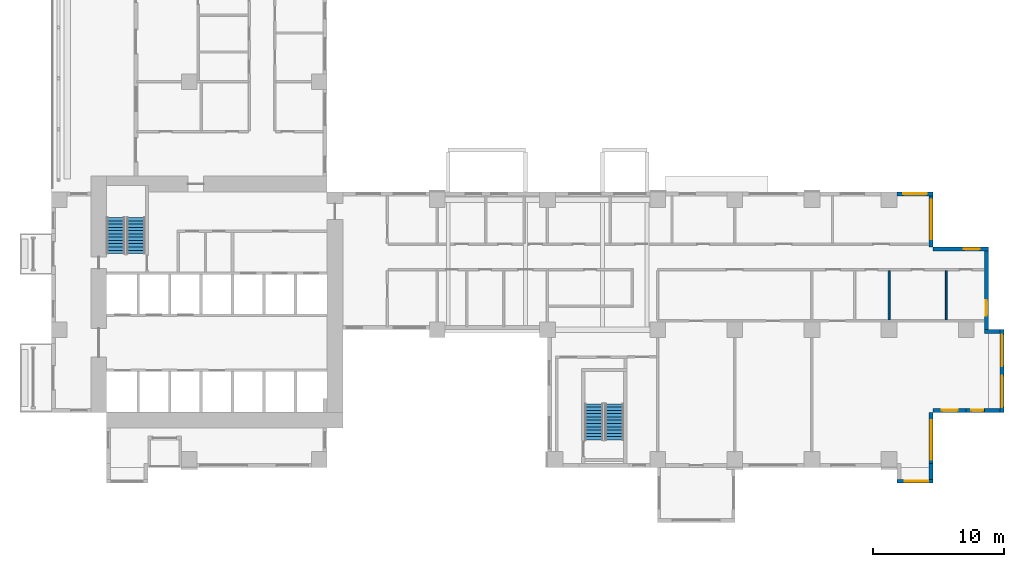
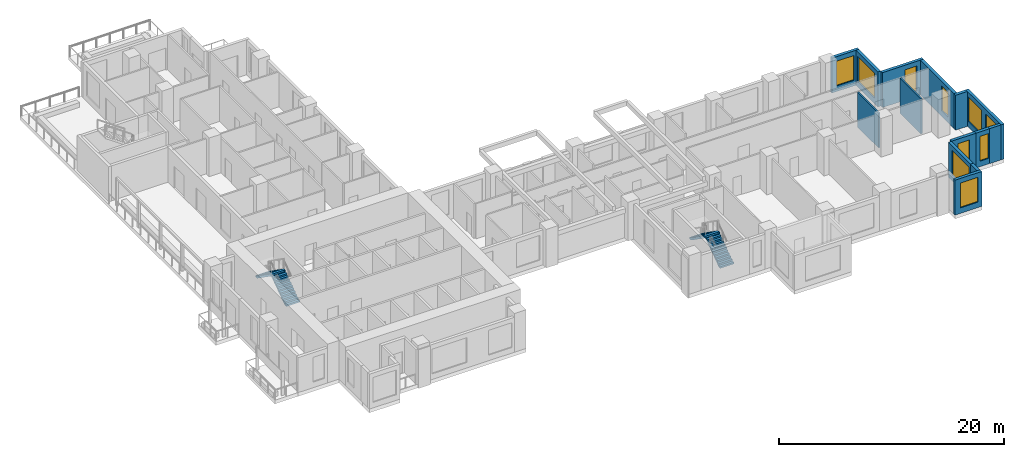
# One storey, part 12 of 18: 14 walls, 10 windows, 4 stair flights, 10 openings, 2 elements without a shape of their own.
"""IFC4 building model written with IfcOpenShell, lengths in metres."""

from ifc_helpers import new_model, si_unit, direction, frame, frame_2d, origin, place, context, subcontext, project, spatial, polyline, rectangle, outline, extrude, source, transform, mapped, material, layer, layer_set, type_object, element, fill, aggregate, save


model = new_model("IFC4")

# Units and contexts
model_context = context("Model", 3, precision=1e-05, world=origin(), true_north=direction((0.0, 1.0)))
body_context = subcontext(model_context, "Body", "Model", "MODEL_VIEW")
ifc_project = project(units=[si_unit("LENGTHUNIT", "METRE"), si_unit("AREAUNIT", "SQUARE_METRE"), si_unit("VOLUMEUNIT", "CUBIC_METRE"), si_unit("PLANEANGLEUNIT", "RADIAN"), si_unit("MASSUNIT", "GRAM", prefix="KILO")], contexts=[model_context])

# Site, building, storey
site_placement = place(None, origin())
site = spatial("IfcSite", under=ifc_project, at=site_placement, CompositionType="ELEMENT")
building_placement = place(site_placement, origin())
building = spatial("IfcBuilding", under=site, at=building_placement, Name="Aurelian Terraces", CompositionType="ELEMENT")
storey_placement = place(building_placement, frame((0.0, 0.0, 99.3)))
storey = spatial("IfcBuildingStorey", under=building, at=storey_placement, Name="L21", CompositionType="ELEMENT", Elevation=99.3)

# Wall, opening, window
ifc_material_1 = material(Name="Terracotta rainscreen cladding", Category="masonry")
ifc_layer_1 = layer(ifc_material_1, 0.3)
ifc_layer_set_1 = layer_set([ifc_layer_1], Name="EW-300")
wall_type_1 = type_object("IfcWallType", Name="EW-300", PredefinedType="STANDARD", material=ifc_layer_set_1)
shared_shape_1 = source(origin(), body_context, "Body", "SweptSolid", [
    extrude(rectangle(XDim=4.2, YDim=0.3, at=frame_2d((2.1, 0.0))), origin(), (0.0, 0.0, 1.0), 3.8),
])
wall_1_placement = place(storey_placement, frame((67.05, 0.0, 0.0), z_axis=(0.0, 0.0, 1.0), x_axis=(0.0, 1.0, 0.0)))
wall_1 = element("IfcWall", 1, at=wall_1_placement, inside=storey, type_object=wall_type_1, Name="External wall L21 F06.14", PredefinedType="STANDARD", context=body_context, shape_type="MappedRepresentation", body=[
    mapped(shared_shape_1, transform((0.0, 0.0, 0.0), scale=1.0)),
])
shared_shape_2 = source(origin(), body_context, "Body", "SweptSolid", [
    extrude(rectangle(XDim=3.0, YDim=2.7, at=frame_2d((1.5, 1.35))), frame((0.0, 0.16, 0.0), z_axis=(0.0, -1.0, 0.0), x_axis=(1.0, 0.0, 0.0)), (0.0, 0.0, 1.0), 0.32),
])
opening_1_placement = place(wall_1_placement, frame((0.6, 0.0, 0.6)))
opening_1 = element("IfcOpeningElement", 2, at=opening_1_placement, cuts=wall_1, Name="Opening W3027", PredefinedType="OPENING", context=body_context, shape_type="MappedRepresentation", body=[
    mapped(shared_shape_2, transform((0.0, 0.0, 0.0), scale=1.0)),
])
ifc_material_2 = material(Name="Clear glazing", Category="glass")
window_type_1 = type_object("IfcWindowType", Name="W-3000x2700", PartitioningType="SINGLE_PANEL", PredefinedType="WINDOW", material=ifc_material_2)
shared_shape_3 = source(origin(), body_context, "Body", "SweptSolid", [
    extrude(rectangle(XDim=3.0, YDim=2.7, at=frame_2d((1.5, 1.35))), frame((0.0, 0.03, 0.0), z_axis=(0.0, -1.0, 0.0), x_axis=(1.0, 0.0, 0.0)), (0.0, 0.0, 1.0), 0.06),
])
window_1_placement = place(opening_1_placement, origin())
window_1 = element("IfcWindow", 3, at=window_1_placement, inside=storey, type_object=window_type_1, Name="Window L21 L21-F06-14-0", OverallHeight=2.7, OverallWidth=3.0, PartitioningType="SINGLE_PANEL", PredefinedType="WINDOW", context=body_context, shape_type="MappedRepresentation", body=[
    mapped(shared_shape_3, transform((0.0, 0.0, 0.0), scale=1.0)),
])
fill(opening_1, window_1)

wall_2_placement = place(storey_placement, frame((71.4, 16.65, 0.0), z_axis=(0.0, 0.0, 1.0), x_axis=(-1.0, 0.0, 0.0)))
wall_2 = element("IfcWall", 4, at=wall_2_placement, inside=storey, type_object=wall_type_1, Name="External wall L21 F09.19", PredefinedType="STANDARD", context=body_context, shape_type="MappedRepresentation", body=[
    mapped(shared_shape_1, transform((0.0, 0.0, 0.0), scale=1.0)),
])
shared_shape_4 = source(origin(), body_context, "Body", "SweptSolid", [
    extrude(rectangle(XDim=1.2, YDim=2.7, at=frame_2d((0.6, 1.35))), frame((0.0, 0.16, 0.0), z_axis=(0.0, -1.0, 0.0), x_axis=(1.0, 0.0, 0.0)), (0.0, 0.0, 1.0), 0.32),
])
opening_2_placement = place(wall_2_placement, frame((0.66, 0.0, 0.6)))
opening_2 = element("IfcOpeningElement", 5, at=opening_2_placement, cuts=wall_2, Name="Opening W1227", PredefinedType="OPENING", context=body_context, shape_type="MappedRepresentation", body=[
    mapped(shared_shape_4, transform((0.0, 0.0, 0.0), scale=1.0)),
])
window_type_2 = type_object("IfcWindowType", Name="W-1200x2700", PartitioningType="SINGLE_PANEL", PredefinedType="WINDOW", material=ifc_material_2)
shared_shape_5 = source(origin(), body_context, "Body", "SweptSolid", [
    extrude(rectangle(XDim=1.2, YDim=2.7, at=frame_2d((0.6, 1.35))), frame((0.0, 0.03, 0.0), z_axis=(0.0, -1.0, 0.0), x_axis=(1.0, 0.0, 0.0)), (0.0, 0.0, 1.0), 0.06),
])
window_2_placement = place(opening_2_placement, origin())
window_2 = element("IfcWindow", 6, at=window_2_placement, inside=storey, type_object=window_type_2, Name="Window L21 L21-F09-19-0", OverallHeight=2.7, OverallWidth=1.2, PartitioningType="SINGLE_PANEL", PredefinedType="WINDOW", context=body_context, shape_type="MappedRepresentation", body=[
    mapped(shared_shape_5, transform((0.0, 0.0, 0.0), scale=1.0)),
])
fill(opening_2, window_2)

wall_3_placement = place(storey_placement, frame((67.05, 16.8, 0.0), z_axis=(0.0, 0.0, 1.0), x_axis=(0.0, 1.0, 0.0)))
wall_3 = element("IfcWall", 7, at=wall_3_placement, inside=storey, type_object=wall_type_1, Name="External wall L21 F10.20", PredefinedType="STANDARD", context=body_context, shape_type="MappedRepresentation", body=[
    mapped(shared_shape_1, transform((0.0, 0.0, 0.0), scale=1.0)),
])
opening_3_placement = place(wall_3_placement, frame((0.6, 0.0, 0.6)))
opening_3 = element("IfcOpeningElement", 8, at=opening_3_placement, cuts=wall_3, Name="Opening W3027", PredefinedType="OPENING", context=body_context, shape_type="MappedRepresentation", body=[
    mapped(shared_shape_2, transform((0.0, 0.0, 0.0), scale=1.0)),
])
window_3_placement = place(opening_3_placement, origin())
window_3 = element("IfcWindow", 9, at=window_3_placement, inside=storey, type_object=window_type_1, Name="Window L21 L21-F10-20-0", OverallHeight=2.7, OverallWidth=3.0, PartitioningType="SINGLE_PANEL", PredefinedType="WINDOW", context=body_context, shape_type="MappedRepresentation", body=[
    mapped(shared_shape_3, transform((0.0, 0.0, 0.0), scale=1.0)),
])
fill(opening_3, window_3)

shared_shape_6 = source(origin(), body_context, "Body", "SweptSolid", [
    extrude(rectangle(XDim=2.76, YDim=0.3, at=frame_2d((1.38, 0.0))), origin(), (0.0, 0.0, 1.0), 3.8),
])
wall_4_placement = place(storey_placement, frame((64.44, -1.05, 0.0), z_axis=(0.0, 0.0, 1.0), x_axis=(1.0, 0.0, 0.0)))
wall_4 = element("IfcWall", 10, at=wall_4_placement, inside=storey, type_object=wall_type_1, Name="Bay wall L21 F05.13", PredefinedType="STANDARD", context=body_context, shape_type="MappedRepresentation", body=[
    mapped(shared_shape_6, transform((0.0, 0.0, 0.0), scale=1.0)),
])
shared_shape_7 = source(origin(), body_context, "Body", "SweptSolid", [
    extrude(rectangle(XDim=1.8, YDim=2.7, at=frame_2d((0.9, 1.35))), frame((0.0, 0.16, 0.0), z_axis=(0.0, -1.0, 0.0), x_axis=(1.0, 0.0, 0.0)), (0.0, 0.0, 1.0), 0.32),
])
opening_4_placement = place(wall_4_placement, frame((0.58, 0.0, 0.6)))
opening_4 = element("IfcOpeningElement", 11, at=opening_4_placement, cuts=wall_4, Name="Opening W1827", PredefinedType="OPENING", context=body_context, shape_type="MappedRepresentation", body=[
    mapped(shared_shape_7, transform((0.0, 0.0, 0.0), scale=1.0)),
])
window_type_3 = type_object("IfcWindowType", Name="W-1800x2700", PartitioningType="SINGLE_PANEL", PredefinedType="WINDOW", material=ifc_material_2)
shared_shape_8 = source(origin(), body_context, "Body", "SweptSolid", [
    extrude(rectangle(XDim=1.8, YDim=2.7, at=frame_2d((0.9, 1.35))), frame((0.0, 0.03, 0.0), z_axis=(0.0, -1.0, 0.0), x_axis=(1.0, 0.0, 0.0)), (0.0, 0.0, 1.0), 0.06),
])
window_4_placement = place(opening_4_placement, origin())
window_4 = element("IfcWindow", 12, at=window_4_placement, inside=storey, type_object=window_type_3, Name="Window L21 L21-F05-13-0", OverallHeight=2.7, OverallWidth=1.8, PartitioningType="SINGLE_PANEL", PredefinedType="WINDOW", context=body_context, shape_type="MappedRepresentation", body=[
    mapped(shared_shape_8, transform((0.0, 0.0, 0.0), scale=1.0)),
])
fill(opening_4, window_4)

wall_5_placement = place(storey_placement, frame((67.2, 20.85, 0.0), z_axis=(0.0, 0.0, 1.0), x_axis=(-1.0, 0.0, 0.0)))
wall_5 = element("IfcWall", 13, at=wall_5_placement, inside=storey, type_object=wall_type_1, Name="External wall L21 F11.21", PredefinedType="STANDARD", context=body_context, shape_type="MappedRepresentation", body=[
    mapped(shared_shape_6, transform((0.0, 0.0, 0.0), scale=1.0)),
])
opening_5_placement = place(wall_5_placement, frame((0.48, 0.0, 0.6)))
opening_5 = element("IfcOpeningElement", 14, at=opening_5_placement, cuts=wall_5, Name="Opening W1827", PredefinedType="OPENING", context=body_context, shape_type="MappedRepresentation", body=[
    mapped(shared_shape_7, transform((0.0, 0.0, 0.0), scale=1.0)),
])
window_5_placement = place(opening_5_placement, origin())
window_5 = element("IfcWindow", 15, at=window_5_placement, inside=storey, type_object=window_type_3, Name="Window L21 L21-F11-21-P0", OverallHeight=2.7, OverallWidth=1.8, PartitioningType="SINGLE_PANEL", PredefinedType="WINDOW", context=body_context, shape_type="MappedRepresentation", body=[
    mapped(shared_shape_8, transform((0.0, 0.0, 0.0), scale=1.0)),
])
fill(opening_5, window_5)

# Walls
shared_shape_9 = source(origin(), body_context, "Body", "SweptSolid", [
    extrude(rectangle(XDim=1.2, YDim=0.3, at=frame_2d((0.6, 0.0))), origin(), (0.0, 0.0, 1.0), 3.8),
])
for number, where, z_axis, x_axis, name in (
    (16, (67.05, 0.3, 0.0), (0.0, 0.0, 1.0), (0.0, -1.0, 0.0), "Bay return L21 F05.13.2"),
    (17, (71.1, 4.35, 0.0), (0.0, 0.0, 1.0), (1.0, 0.0, 0.0), "Bay return L21 F08.17.1"),
    (18, (71.1, 10.35, 0.0), (0.0, 0.0, 1.0), (1.0, 0.0, 0.0), "Bay return L21 F08.17.2"),
):
    element("IfcWall", number, at=place(storey_placement, frame(where, z_axis=z_axis, x_axis=x_axis)), inside=storey, type_object=wall_type_1, Name=name, PredefinedType="STANDARD", context=body_context, shape_type="MappedRepresentation", body=[
        mapped(shared_shape_9, transform((0.0, 0.0, 0.0), scale=1.0)),
    ])

# Wall, opening, window
shared_shape_10 = source(origin(), body_context, "Body", "SweptSolid", [
    extrude(rectangle(XDim=2.52, YDim=0.3, at=frame_2d((1.26, 0.0))), origin(), (0.0, 0.0, 1.0), 3.8),
])
wall_6_placement = place(storey_placement, frame((67.2, 4.35, 0.0), z_axis=(0.0, 0.0, 1.0), x_axis=(1.0, 0.0, 0.0)))
wall_6 = element("IfcWall", 19, at=wall_6_placement, inside=storey, type_object=wall_type_1, Name="External wall L21 F07.15", PredefinedType="STANDARD", context=body_context, shape_type="MappedRepresentation", body=[
    mapped(shared_shape_10, transform((0.0, 0.0, 0.0), scale=1.0)),
])
opening_6_placement = place(wall_6_placement, frame((0.66, 0.0, 0.6)))
opening_6 = element("IfcOpeningElement", 20, at=opening_6_placement, cuts=wall_6, Name="Opening W1227", PredefinedType="OPENING", context=body_context, shape_type="MappedRepresentation", body=[
    mapped(shared_shape_4, transform((0.0, 0.0, 0.0), scale=1.0)),
])
window_6_placement = place(opening_6_placement, origin())
window_6 = element("IfcWindow", 21, at=window_6_placement, inside=storey, type_object=window_type_2, Name="Window L21 L21-F07-15-0", OverallHeight=2.7, OverallWidth=1.2, PartitioningType="SINGLE_PANEL", PredefinedType="WINDOW", context=body_context, shape_type="MappedRepresentation", body=[
    mapped(shared_shape_5, transform((0.0, 0.0, 0.0), scale=1.0)),
])
fill(opening_6, window_6)

shared_shape_11 = source(origin(), body_context, "Body", "SweptSolid", [
    extrude(rectangle(XDim=1.68, YDim=0.3, at=frame_2d((0.84, 0.0))), origin(), (0.0, 0.0, 1.0), 3.8),
])
wall_7_placement = place(storey_placement, frame((69.72, 4.35, 0.0), z_axis=(0.0, 0.0, 1.0), x_axis=(1.0, 0.0, 0.0)))
wall_7 = element("IfcWall", 22, at=wall_7_placement, inside=storey, type_object=wall_type_1, Name="External wall L21 F07.16", PredefinedType="STANDARD", context=body_context, shape_type="MappedRepresentation", body=[
    mapped(shared_shape_11, transform((0.0, 0.0, 0.0), scale=1.0)),
])
shared_shape_12 = source(origin(), body_context, "Body", "SweptSolid", [
    extrude(rectangle(XDim=0.9, YDim=2.7, at=frame_2d((0.45, 1.35))), frame((0.0, 0.16, 0.0), z_axis=(0.0, -1.0, 0.0), x_axis=(1.0, 0.0, 0.0)), (0.0, 0.0, 1.0), 0.32),
])
opening_7_placement = place(wall_7_placement, frame((0.39, 0.0, 0.6)))
opening_7 = element("IfcOpeningElement", 23, at=opening_7_placement, cuts=wall_7, Name="Opening W0927", PredefinedType="OPENING", context=body_context, shape_type="MappedRepresentation", body=[
    mapped(shared_shape_12, transform((0.0, 0.0, 0.0), scale=1.0)),
])
window_type_4 = type_object("IfcWindowType", Name="W-900x2700", PartitioningType="SINGLE_PANEL", PredefinedType="WINDOW", material=ifc_material_2)
shared_shape_13 = source(origin(), body_context, "Body", "SweptSolid", [
    extrude(rectangle(XDim=0.9, YDim=2.7, at=frame_2d((0.45, 1.35))), frame((0.0, 0.03, 0.0), z_axis=(0.0, -1.0, 0.0), x_axis=(1.0, 0.0, 0.0)), (0.0, 0.0, 1.0), 0.06),
])
window_7_placement = place(opening_7_placement, origin())
window_7 = element("IfcWindow", 24, at=window_7_placement, inside=storey, type_object=window_type_4, Name="Window L21 L21-F07-16-P0", OverallHeight=2.7, OverallWidth=0.9, PartitioningType="SINGLE_PANEL", PredefinedType="WINDOW", context=body_context, shape_type="MappedRepresentation", body=[
    mapped(shared_shape_13, transform((0.0, 0.0, 0.0), scale=1.0)),
])
fill(opening_7, window_7)

# Wall, openings, windows
shared_shape_14 = source(origin(), body_context, "Body", "SweptSolid", [
    extrude(rectangle(XDim=6.3, YDim=0.3, at=frame_2d((3.15, 0.0))), origin(), (0.0, 0.0, 1.0), 3.8),
])
wall_8_placement = place(storey_placement, frame((72.45, 4.2, 0.0), z_axis=(0.0, 0.0, 1.0), x_axis=(0.0, 1.0, 0.0)))
wall_8 = element("IfcWall", 25, at=wall_8_placement, inside=storey, type_object=wall_type_1, Name="Bay wall L21 F08.17", PredefinedType="STANDARD", context=body_context, shape_type="MappedRepresentation", body=[
    mapped(shared_shape_14, transform((0.0, 0.0, 0.0), scale=1.0)),
])
shared_shape_15 = source(origin(), body_context, "Body", "SweptSolid", [
    extrude(rectangle(XDim=2.4, YDim=2.7, at=frame_2d((1.2, 1.35))), frame((0.0, 0.16, 0.0), z_axis=(0.0, -1.0, 0.0), x_axis=(1.0, 0.0, 0.0)), (0.0, 0.0, 1.0), 0.32),
])
opening_8_placement = place(wall_8_placement, frame((0.375, 0.0, 0.6)))
opening_8 = element("IfcOpeningElement", 26, at=opening_8_placement, cuts=wall_8, Name="Opening W2427", PredefinedType="OPENING", context=body_context, shape_type="MappedRepresentation", body=[
    mapped(shared_shape_15, transform((0.0, 0.0, 0.0), scale=1.0)),
])
opening_9_placement = place(wall_8_placement, frame((3.525, 0.0, 0.6)))
opening_9 = element("IfcOpeningElement", 27, at=opening_9_placement, cuts=wall_8, Name="Opening W2427", PredefinedType="OPENING", context=body_context, shape_type="MappedRepresentation", body=[
    mapped(shared_shape_15, transform((0.0, 0.0, 0.0), scale=1.0)),
])
window_type_5 = type_object("IfcWindowType", Name="W-2400x2700", PartitioningType="SINGLE_PANEL", PredefinedType="WINDOW", material=ifc_material_2)
shared_shape_16 = source(origin(), body_context, "Body", "SweptSolid", [
    extrude(rectangle(XDim=2.4, YDim=2.7, at=frame_2d((1.2, 1.35))), frame((0.0, 0.03, 0.0), z_axis=(0.0, -1.0, 0.0), x_axis=(1.0, 0.0, 0.0)), (0.0, 0.0, 1.0), 0.06),
])
window_8_placement = place(opening_8_placement, origin())
window_8 = element("IfcWindow", 28, at=window_8_placement, inside=storey, type_object=window_type_5, Name="Window L21 L21-F08-17-0", OverallHeight=2.7, OverallWidth=2.4, PartitioningType="SINGLE_PANEL", PredefinedType="WINDOW", context=body_context, shape_type="MappedRepresentation", body=[
    mapped(shared_shape_16, transform((0.0, 0.0, 0.0), scale=1.0)),
])
fill(opening_8, window_8)
window_9_placement = place(opening_9_placement, origin())
window_9 = element("IfcWindow", 29, at=window_9_placement, inside=storey, type_object=window_type_5, Name="Window L21 L21-F08-17-1", OverallHeight=2.7, OverallWidth=2.4, PartitioningType="SINGLE_PANEL", PredefinedType="WINDOW", context=body_context, shape_type="MappedRepresentation", body=[
    mapped(shared_shape_16, transform((0.0, 0.0, 0.0), scale=1.0)),
])
fill(opening_9, window_9)

# Wall, opening, window
wall_9_placement = place(storey_placement, frame((71.25, 10.5, 0.0), z_axis=(0.0, 0.0, 1.0), x_axis=(0.0, 1.0, 0.0)))
wall_9 = element("IfcWall", 30, at=wall_9_placement, inside=storey, type_object=wall_type_1, Name="External wall L21 F08.18", PredefinedType="STANDARD", context=body_context, shape_type="MappedRepresentation", body=[
    mapped(shared_shape_14, transform((0.0, 0.0, 0.0), scale=1.0)),
])
opening_10_placement = place(wall_9_placement, frame((1.0625, 0.0, 0.6)))
opening_10 = element("IfcOpeningElement", 31, at=opening_10_placement, cuts=wall_9, Name="Opening W1227", PredefinedType="OPENING", context=body_context, shape_type="MappedRepresentation", body=[
    mapped(shared_shape_4, transform((0.0, 0.0, 0.0), scale=1.0)),
])
window_10_placement = place(opening_10_placement, origin())
window_10 = element("IfcWindow", 32, at=window_10_placement, inside=storey, type_object=window_type_2, Name="Window L21 L21-F08-18-0", OverallHeight=2.7, OverallWidth=1.2, PartitioningType="SINGLE_PANEL", PredefinedType="WINDOW", context=body_context, shape_type="MappedRepresentation", body=[
    mapped(shared_shape_5, transform((0.0, 0.0, 0.0), scale=1.0)),
])
fill(opening_10, window_10)

# Walls
ifc_material_3 = material(Name="Gypsum board on steel studs", Category="steel")
ifc_layer_2 = layer(ifc_material_3, 0.15)
ifc_layer_set_2 = layer_set([ifc_layer_2], Name="Partition 150")
wall_type_2 = type_object("IfcWallType", Name="Partition 150", PredefinedType="PARTITIONING", material=ifc_layer_set_2)
shared_shape_17 = source(origin(), body_context, "Body", "SweptSolid", [
    extrude(rectangle(XDim=3.75, YDim=0.15, at=frame_2d((1.875, 0.0))), origin(), (0.0, 0.0, 1.0), 3.8),
])
for number, where, z_axis, x_axis, name in (
    (33, (63.84, 11.25, 0.0), (0.0, 0.0, 1.0), (0.0, 1.0, 0.0), "Partition"),
    (34, (68.1973, 11.25, 0.0), (0.0, 0.0, 1.0), (0.0, 1.0, 0.0), "Partition"),
):
    element("IfcWall", number, at=place(storey_placement, frame(where, z_axis=z_axis, x_axis=x_axis)), inside=storey, type_object=wall_type_2, Name=name, PredefinedType="PARTITIONING", context=body_context, shape_type="MappedRepresentation", body=[
        mapped(shared_shape_17, transform((0.0, 0.0, 0.0), scale=1.0)),
    ])

# Stair, stair flights
ifc_material_4 = material(Name="Concrete fc' 40 MPa", Category="concrete")
stair_type = type_object("IfcStairType", Name="Stair 1400", PredefinedType="HALF_TURN_STAIR", material=ifc_material_4)
stair_1_placement = place(storey_placement, origin())
stair_1 = element("IfcStair", 35, at=stair_1_placement, inside=storey, type_object=stair_type, Name="L21 S1", PredefinedType="HALF_TURN_STAIR")
stair_flight_type = type_object("IfcStairFlightType", Name="Stair flight 1400", PredefinedType="STRAIGHT", material=ifc_material_4)
shared_shape_18 = source(origin(), body_context, "Body", "SweptSolid", [
    extrude(outline(polyline([(0.0, 0.0), (0.0, 0.175), (0.25, 0.175), (0.25, 0.35), (0.5, 0.35), (0.5, 0.525), (0.75, 0.525), (0.75, 0.7), (1.0, 0.7), (1.0, 0.875), (1.25, 0.875), (1.25, 1.05), (1.5, 1.05), (1.5, 1.225), (1.75, 1.225), (1.75, 1.4), (2.0, 1.4), (2.0, 1.575), (2.25, 1.575), (2.25, 1.75), (2.5, 1.75), (2.5, 1.925), (2.75, 1.925), (2.75, 2.1), (2.75, 1.7419), (0.2616, 0.0), (0.0, 0.0)])), frame((0.0, 0.7, 0.0), z_axis=(0.0, -1.0, 0.0), x_axis=(1.0, 0.0, 0.0)), (0.0, 0.0, 1.0), 1.4),
])
stair_flight_1_placement = place(storey_placement, frame((6.45, 16.3, 2e-08), z_axis=(0.0, 0.0, 1.0), x_axis=(0.0, 1.0, 0.0)))
stair_flight_1 = element("IfcStairFlight", 36, at=stair_flight_1_placement, type_object=stair_flight_type, Name="S1 flight 1", NumberOfRisers=12, NumberOfTreads=11, PredefinedType="STRAIGHT", RiserHeight=0.175, TreadLength=0.25, context=body_context, shape_type="MappedRepresentation", body=[
    mapped(shared_shape_18, transform((0.0, 0.0, 0.0), scale=1.0)),
])
stair_flight_2_placement = place(storey_placement, frame((4.9, 19.05, 2.1000000200000084), z_axis=(0.0, 0.0, 1.0), x_axis=(0.0, -1.0, 0.0)))
stair_flight_2 = element("IfcStairFlight", 37, at=stair_flight_2_placement, type_object=stair_flight_type, Name="S1 flight 2", NumberOfRisers=12, NumberOfTreads=11, PredefinedType="STRAIGHT", RiserHeight=0.175, TreadLength=0.25, context=body_context, shape_type="MappedRepresentation", body=[
    mapped(shared_shape_18, transform((0.0, 0.0, 0.0), scale=1.0)),
])
aggregate(stair_1, [stair_flight_1, stair_flight_2])

stair_2_placement = place(storey_placement, origin())
stair_2 = element("IfcStair", 38, at=stair_2_placement, inside=storey, type_object=stair_type, Name="L21 S2", PredefinedType="HALF_TURN_STAIR")
stair_flight_3_placement = place(storey_placement, frame((42.9, 2.1, 2e-08), z_axis=(0.0, 0.0, 1.0), x_axis=(0.0, 1.0, 0.0)))
stair_flight_3 = element("IfcStairFlight", 39, at=stair_flight_3_placement, type_object=stair_flight_type, Name="S2 flight 1", NumberOfRisers=12, NumberOfTreads=11, PredefinedType="STRAIGHT", RiserHeight=0.175, TreadLength=0.25, context=body_context, shape_type="MappedRepresentation", body=[
    mapped(shared_shape_18, transform((0.0, 0.0, 0.0), scale=1.0)),
])
stair_flight_4_placement = place(storey_placement, frame((41.35, 4.85, 2.1000000200000084), z_axis=(0.0, 0.0, 1.0), x_axis=(0.0, -1.0, 0.0)))
stair_flight_4 = element("IfcStairFlight", 40, at=stair_flight_4_placement, type_object=stair_flight_type, Name="S2 flight 2", NumberOfRisers=12, NumberOfTreads=11, PredefinedType="STRAIGHT", RiserHeight=0.175, TreadLength=0.25, context=body_context, shape_type="MappedRepresentation", body=[
    mapped(shared_shape_18, transform((0.0, 0.0, 0.0), scale=1.0)),
])
aggregate(stair_2, [stair_flight_3, stair_flight_4])

save(model, "model.ifc")
